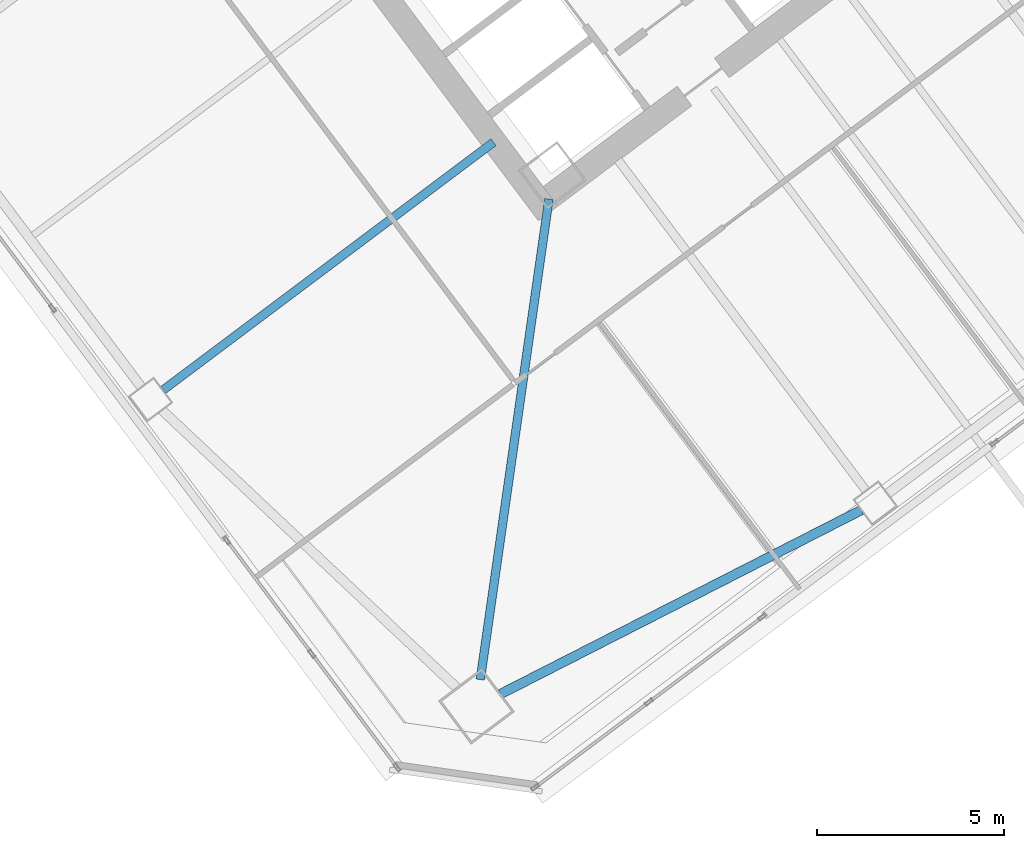
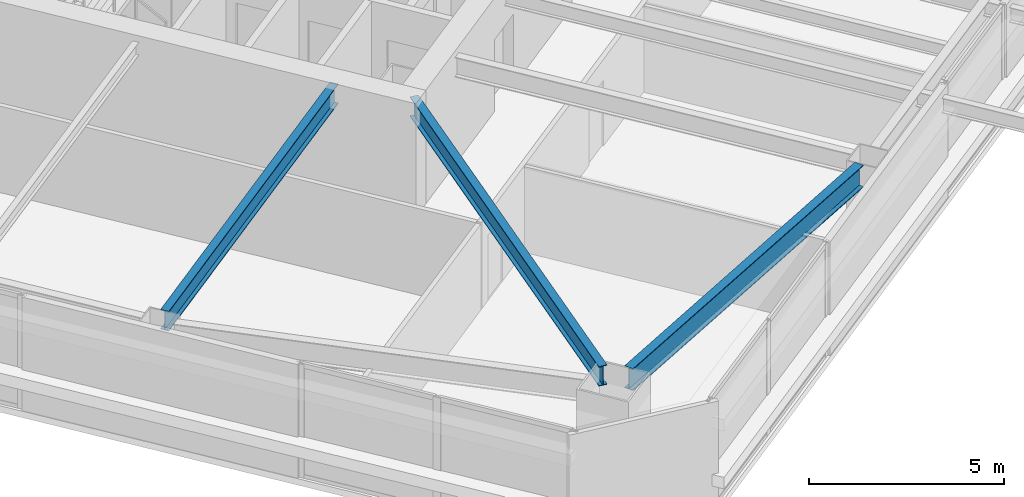
# One storey, part 18 of 44: 3 beams.
"""IFC4 building model written with IfcOpenShell, lengths in metres."""

from ifc_helpers import new_model, si_unit, direction, frame, origin, origin_2d, place, context, subcontext, project, spatial, i_section, extrude, material, material_profile, profile_set, type_object, element, save


model = new_model("IFC4")

# Units and contexts
model_context = context("Model", 3, precision=1e-05, world=origin(), true_north=direction((0.0, 1.0)))
body_context = subcontext(model_context, "Body", "Model", "MODEL_VIEW")
ifc_project = project(units=[si_unit("LENGTHUNIT", "METRE"), si_unit("AREAUNIT", "SQUARE_METRE"), si_unit("VOLUMEUNIT", "CUBIC_METRE"), si_unit("PLANEANGLEUNIT", "RADIAN"), si_unit("MASSUNIT", "GRAM", prefix="KILO")], contexts=[model_context])

# Site, building, storey
site_placement = place(None, origin())
site = spatial("IfcSite", under=ifc_project, at=site_placement, CompositionType="ELEMENT")
building_placement = place(site_placement, origin())
building = spatial("IfcBuilding", under=site, at=building_placement, Name="Tashvorn Skyway Center", CompositionType="ELEMENT")
storey_placement = place(building_placement, frame((0.0, 0.0, 95.60009765625)))
storey = spatial("IfcBuildingStorey", under=building, at=storey_placement, Name="L25", CompositionType="ELEMENT", Elevation=95.60009765625)

# Beams
ifc_material = material(Name="Steel ASTM A992 Grade 50", Category="steel")
ifc_material_profile_1 = material_profile(ifc_material, i_section(OverallWidth=0.22998046875, OverallDepth=0.616943359375, WebThickness=0.01318359375, FlangeThickness=0.022216796875, at=origin_2d()), Name="W24X94")
ifc_profile_set_1 = profile_set([ifc_material_profile_1], Name="Steel ASTM A992 Grade 50")
beam_type_1 = type_object("IfcBeamType", Name="BM-BEAM-W24X94", PredefinedType="BEAM", material=ifc_profile_set_1)
beam_1_placement = place(storey_placement, frame((110.661865234375, 8.6328125, 3.04150390625), z_axis=(0.141418724841, 0.989949869571, 0.0), x_axis=(-0.989949869571, 0.141418724841, 0.0)))
element("IfcBeam", 1, at=beam_1_placement, inside=storey, type_object=beam_type_1, Name="Tower 2 L25 Primary Floor Girder MC-SW", PredefinedType="BEAM", context=body_context, shape_type="SweptSolid", body=[
    extrude(i_section(OverallWidth=0.22998046875, OverallDepth=0.616943359375, WebThickness=0.01318359375, FlangeThickness=0.022216796875, at=origin_2d()), origin(), (0.0, 0.0, 1.0), 12.9892578125),
])
beam_2_placement = place(storey_placement, frame((102.176025390625, 16.382080078125, 3.04150390625), z_axis=(0.800007953832, 0.599989394744, 0.0), x_axis=(-0.599989394744, 0.800007953832, 0.0)))
element("IfcBeam", 2, at=beam_2_placement, inside=storey, type_object=beam_type_1, Name="Tower 2 L25 Primary Floor Girder FC-W2", PredefinedType="BEAM", context=body_context, shape_type="SweptSolid", body=[
    extrude(i_section(OverallWidth=0.22998046875, OverallDepth=0.616943359375, WebThickness=0.01318359375, FlangeThickness=0.022216796875, at=origin_2d()), origin(), (0.0, 0.0, 1.0), 11.050048828125),
])
ifc_material_profile_2 = material_profile(ifc_material, i_section(OverallWidth=0.256103515625, OverallDepth=0.693115234375, WebThickness=0.014404296875, FlangeThickness=0.023681640625, at=origin_2d()), Name="W27X114")
ifc_profile_set_2 = profile_set([ifc_material_profile_2], Name="Steel ASTM A992 Grade 50")
beam_type_2 = type_object("IfcBeamType", Name="BM-SPANDREL-W27X114", PredefinedType="SPANDREL", material=ifc_profile_set_2)
beam_3_placement = place(storey_placement, frame((111.201416015625, 8.2470703125, 3.00341796875), z_axis=(0.890894170442, 0.454210938961, 0.0), x_axis=(-0.454210938961, 0.890894170442, 0.0)))
element("IfcBeam", 3, at=beam_3_placement, inside=storey, type_object=beam_type_2, Name="Tower 2 L25 Spandrel Beam 01", PredefinedType="SPANDREL", context=body_context, shape_type="SweptSolid", body=[
    extrude(i_section(OverallWidth=0.256103515625, OverallDepth=0.693115234375, WebThickness=0.014404296875, FlangeThickness=0.023681640625, at=origin_2d()), origin(), (0.0, 0.0, 1.0), 10.836669921875),
])

save(model, "model.ifc")
